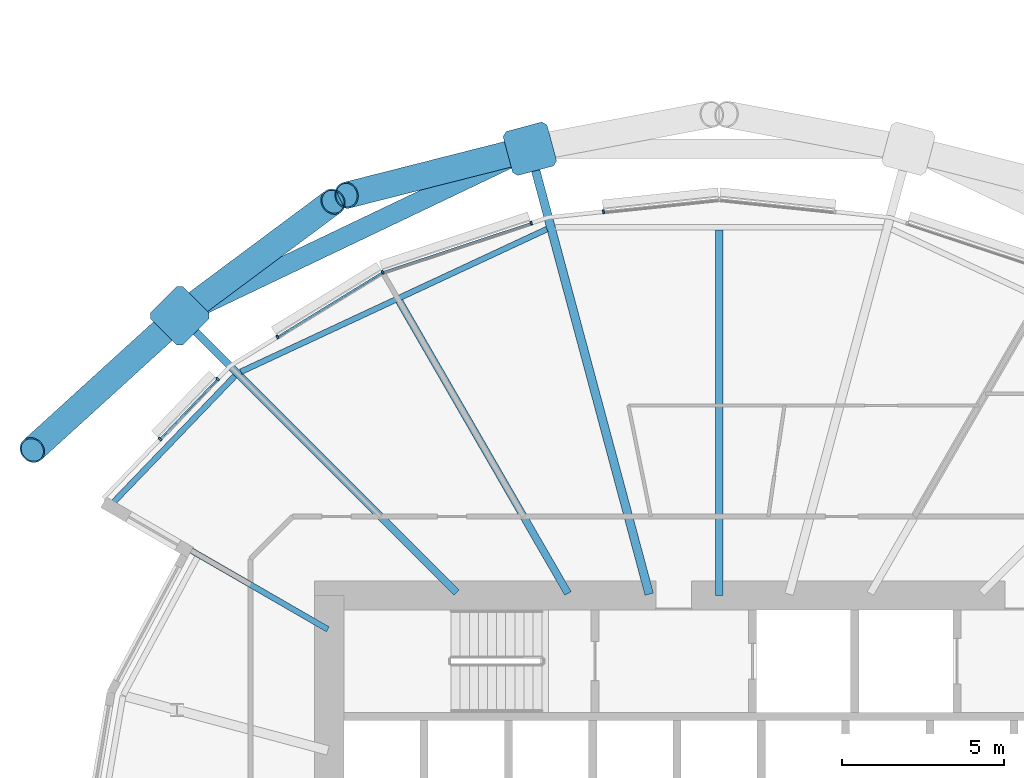
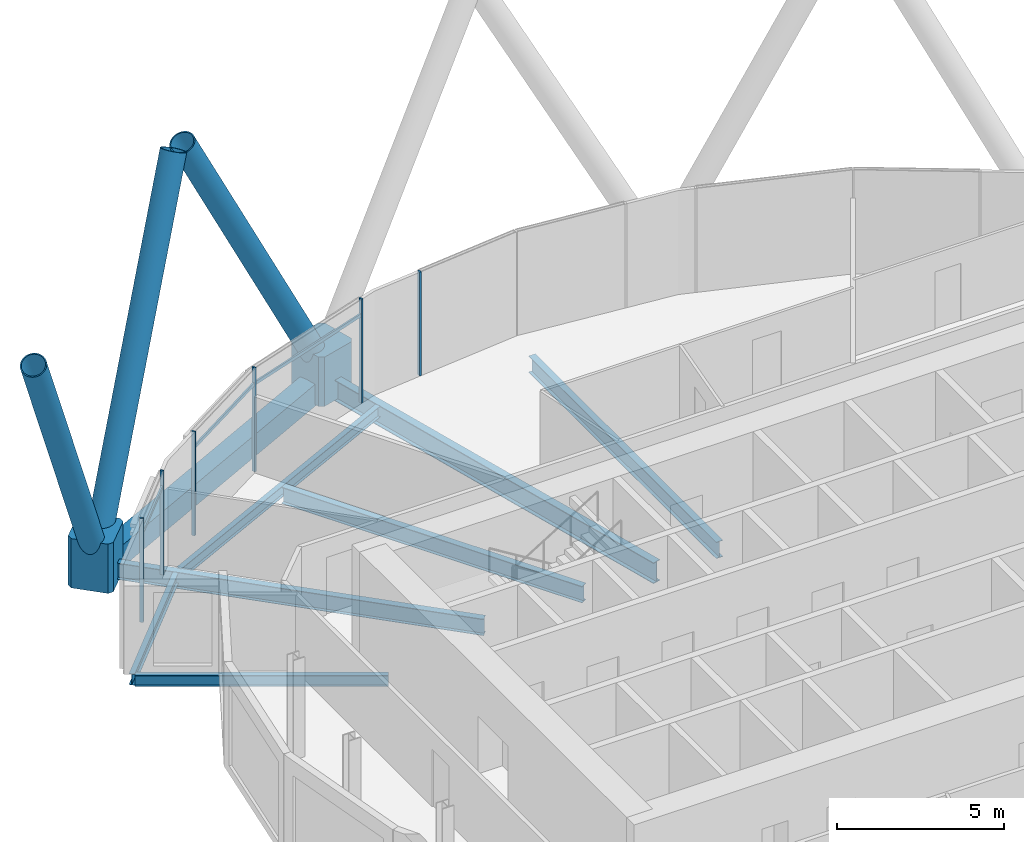
# One storey, part 10 of 34: 14 members, 8 beams, 1 element without a shape of its own.
"""IFC4 building model written with IfcOpenShell, lengths in metres."""

import ifcopenshell
import ifcopenshell.guid

model = None  # the IFC model being written
_history = None  # IfcOwnerHistory: only IFC2X3 demands one
_inside = {}  # id of a spatial element -> (the spatial element, [elements in it])
_under = {}  # id of a project, library or spatial element -> (it, [spatial elements below it])
_declared = {}  # id of a project -> (the project, [libraries it declares])
_typed = {}  # id of a type object -> (the type object, [elements of that type])
_made_of = {}  # id of a material, layer set ... -> (it, [elements and type objects made of it])


def new_model(schema):
    """Start an empty IFC model of exactly this schema.

    Asked for "IFC4X3", IfcOpenShell would pick the latest addendum, in which some entities
    have other attributes; the version numbers below select the first issue.
    IFC2X3 requires an IfcOwnerHistory on every rooted entity: one is made here for all.
    """
    global model, _history
    if schema == "IFC4X3":
        model = ifcopenshell.file(schema_version=(4, 3, 0, 0))
    else:
        model = ifcopenshell.file(schema=schema)
    _inside.clear()
    _under.clear()
    _declared.clear()
    _typed.clear()
    _made_of.clear()
    _history = None
    if model.schema == "IFC2X3":
        org = make("IfcOrganization", Name="unknown")
        user = make(
            "IfcPersonAndOrganization",
            ThePerson=make("IfcPerson", FamilyName="unknown"),
            TheOrganization=org,
        )
        app = make(
            "IfcApplication",
            ApplicationDeveloper=org,
            Version="unknown",
            ApplicationFullName="unknown",
            ApplicationIdentifier="unknown",
        )
        _history = make(
            "IfcOwnerHistory",
            OwningUser=user,
            OwningApplication=app,
            ChangeAction="ADDED",
            CreationDate=0,
        )
    return model


def make(cls, **values):
    """One entity of the class cls with the attributes given. An attribute that is None is left unset."""
    return model.create_entity(
        cls, **{name: value for name, value in values.items() if value is not None}
    )


def rooted(cls, **values):
    """An entity with a GlobalId (a new one), such as an element, a storey or a relation."""
    return make(cls, GlobalId=ifcopenshell.guid.new(), OwnerHistory=_history, **values)


def si_unit(unit_type, name, prefix=None):
    """IfcSIUnit, for example si_unit("LENGTHUNIT", "METRE", prefix="MILLI")."""
    return make("IfcSIUnit", UnitType=unit_type, Prefix=prefix, Name=name)


def assignment(units):
    """IfcUnitAssignment: the units of a project."""
    return None if units is None else make("IfcUnitAssignment", Units=units)


def point(xyz):
    """IfcCartesianPoint."""
    return None if xyz is None else make("IfcCartesianPoint", Coordinates=xyz)


def direction(xyz):
    """IfcDirection."""
    return None if xyz is None else make("IfcDirection", DirectionRatios=xyz)


def frame(location, z_axis=None, x_axis=None):
    """IfcAxis2Placement3D, a coordinate frame: its origin and axes. An axis left out is left unset."""
    return make(
        "IfcAxis2Placement3D",
        Location=point(location),
        Axis=direction(z_axis),
        RefDirection=direction(x_axis),
    )


def frame_2d(location, x_axis=None):
    """IfcAxis2Placement2D, a coordinate frame in the plane: its origin and x axis."""
    return make(
        "IfcAxis2Placement2D", Location=point(location), RefDirection=direction(x_axis)
    )


def origin():
    """The frame at (0, 0, 0) with its axes left unset."""
    return frame((0.0, 0.0, 0.0))


def origin_2d():
    """The frame at (0, 0) in the plane with its x axis left unset."""
    return frame_2d((0.0, 0.0))


def place(relative_to, where):
    """IfcLocalPlacement: puts the frame where relative to a parent placement (None: the world)."""
    return make(
        "IfcLocalPlacement", PlacementRelTo=relative_to, RelativePlacement=where
    )


def context(
    kind, dimensions, precision=None, world=None, true_north=None, identifier=None
):
    """IfcGeometricRepresentationContext, for example the 3D "Model" context."""
    return make(
        "IfcGeometricRepresentationContext",
        ContextIdentifier=identifier,
        ContextType=kind,
        CoordinateSpaceDimension=dimensions,
        Precision=precision,
        WorldCoordinateSystem=world,
        TrueNorth=true_north,
    )


def subcontext(parent, identifier, kind, view, scale=None):
    """IfcGeometricRepresentationSubContext, for example "Body" below "Model"."""
    return make(
        "IfcGeometricRepresentationSubContext",
        ContextIdentifier=identifier,
        ContextType=kind,
        ParentContext=parent,
        TargetScale=scale,
        TargetView=view,
    )


def project(units=None, contexts=None):
    """IfcProject with its units and contexts."""
    return rooted(
        "IfcProject",
        Name="project",
        RepresentationContexts=contexts,
        UnitsInContext=assignment(units),
    )


def spatial(cls, under=None, at=None, **own):
    """A site, building, storey or space (cls), placed at a placement, below another one or the project."""
    s = rooted(cls, ObjectPlacement=at, **own)
    if under is not None:
        _under.setdefault(under.id(), (under, []))[1].append(s)
    return s


def polyline(points):
    """IfcPolyline through the points."""
    return make("IfcPolyline", Points=[point(p) for p in points])


def profile(cls, at=None, kind="AREA", **sizes):
    """A parametric profile (cls). Its sizes go by their IFC names, for example OverallWidth=200.0."""
    return make(cls, ProfileType=kind, Position=at, **sizes)


def rectangle(**sizes):
    """IfcRectangleProfileDef."""
    return profile("IfcRectangleProfileDef", **sizes)


def hollow_rectangle(**sizes):
    """IfcRectangleHollowProfileDef."""
    return profile("IfcRectangleHollowProfileDef", **sizes)


def hollow_circle(**sizes):
    """IfcCircleHollowProfileDef."""
    return profile("IfcCircleHollowProfileDef", **sizes)


def i_section(**sizes):
    """IfcIShapeProfileDef."""
    return profile("IfcIShapeProfileDef", **sizes)


def outline(outer, holes=None, kind="AREA"):
    """IfcArbitraryClosedProfileDef: a profile drawn as a closed curve; with holes, ...WithVoids."""
    if holes is None:
        return make("IfcArbitraryClosedProfileDef", ProfileType=kind, OuterCurve=outer)
    return make(
        "IfcArbitraryProfileDefWithVoids",
        ProfileType=kind,
        OuterCurve=outer,
        InnerCurves=holes,
    )


def extrude(swept, where, along, depth):
    """IfcExtrudedAreaSolid: the profile swept, set in the frame where, extruded along a direction by depth."""
    return make(
        "IfcExtrudedAreaSolid",
        SweptArea=swept,
        Position=where,
        ExtrudedDirection=direction(along),
        Depth=depth,
    )


def shape(context_of_items, identifier, shape_type, items):
    """IfcShapeRepresentation: the items that make up one representation, for example the "Body"."""
    return make(
        "IfcShapeRepresentation",
        ContextOfItems=context_of_items,
        RepresentationIdentifier=identifier,
        RepresentationType=shape_type,
        Items=items,
    )


def material(Name=None, Category=None):
    """IfcMaterial."""
    return make("IfcMaterial", Name=Name, Category=Category)


def material_profile(
    of_material, cross_section, Name=None, Category=None, Priority=None
):
    """IfcMaterialProfile: a cross section and its material."""
    return make(
        "IfcMaterialProfile",
        Name=Name,
        Material=of_material,
        Profile=cross_section,
        Priority=Priority,
        Category=Category,
    )


def profile_set(profiles, Name=None, composite=None):
    """IfcMaterialProfileSet."""
    return make(
        "IfcMaterialProfileSet",
        Name=Name,
        MaterialProfiles=profiles,
        CompositeProfile=composite,
    )


def made_of(thing, what):
    """Note that an element or type object is made of a material, layer set ...; save() writes the relation."""
    if what is not None:
        _made_of.setdefault(what.id(), (what, []))[1].append(thing)
    return thing


def type_object(cls, material=None, **own):
    """A type object (cls), such as IfcWallType, which elements share."""
    return made_of(rooted(cls, **own), material)


def element(
    cls,
    number,
    at=None,
    inside=None,
    cuts=None,
    type_object=None,
    material=None,
    context=None,
    identifier="Body",
    shape_type=None,
    held_by="IfcProductDefinitionShape",
    body=None,
    shapes=None,
    **own,
):
    """One element of the class cls, such as IfcWall. Its Tag is "e" and its number.

    at: its placement. inside: the storey or other place that contains it. cuts: it is an
    opening in that element (IfcRelVoidsElement). A single representation is given by context,
    identifier, shape_type and body (its items); several are given by shapes. held_by: the class
    of the entity that holds the representations. save() writes the other relations.
    """
    e = rooted(cls, Tag="e%d" % number, ObjectPlacement=at, **own)
    if body is not None:
        shapes = [shape(context, identifier, shape_type, body)]
    if shapes is not None:
        e.Representation = make(held_by, Representations=shapes)
    if inside is not None:
        _inside.setdefault(inside.id(), (inside, []))[1].append(e)
    if cuts is not None:
        rooted(
            "IfcRelVoidsElement", RelatingBuildingElement=cuts, RelatedOpeningElement=e
        )
    if type_object is not None:
        _typed.setdefault(type_object.id(), (type_object, []))[1].append(e)
    return made_of(e, material)


def aggregate(whole, parts):
    """IfcRelAggregates: a whole, such as a stair, and the parts it consists of."""
    return rooted("IfcRelAggregates", RelatingObject=whole, RelatedObjects=parts)


def save(model, path):
    """Write the relations noted so far, then the file.

    IfcRelAggregates (storeys below a building ...), IfcRelContainedInSpatialStructure (elements
    in a storey), IfcRelDefinesByType, IfcRelAssociatesMaterial and IfcRelDeclares: one each for
    every whole, place, type object, material and project.
    """
    for whole, parts in _under.values():
        aggregate(whole, parts)
    for where, things in _inside.values():
        rooted(
            "IfcRelContainedInSpatialStructure",
            RelatedElements=things,
            RelatingStructure=where,
        )
    for kind, things in _typed.values():
        rooted("IfcRelDefinesByType", RelatedObjects=things, RelatingType=kind)
    for what, things in _made_of.values():
        rooted("IfcRelAssociatesMaterial", RelatedObjects=things, RelatingMaterial=what)
    for by, libraries in _declared.values():
        rooted("IfcRelDeclares", RelatingContext=by, RelatedDefinitions=libraries)
    model.write(path)


model = new_model("IFC4")

# Units and contexts
model_context = context("Model", 3, precision=1e-05, world=origin(), true_north=direction((0.0, 1.0)))
body_context = subcontext(model_context, "Body", "Model", "MODEL_VIEW")
ifc_project = project(units=[si_unit("LENGTHUNIT", "METRE"), si_unit("AREAUNIT", "SQUARE_METRE"), si_unit("VOLUMEUNIT", "CUBIC_METRE"), si_unit("PLANEANGLEUNIT", "RADIAN"), si_unit("MASSUNIT", "GRAM", prefix="KILO")], contexts=[model_context])

# Site, building, storey
site_placement = place(None, origin())
site = spatial("IfcSite", under=ifc_project, at=site_placement, CompositionType="ELEMENT")
building_placement = place(site_placement, origin())
building = spatial("IfcBuilding", under=site, at=building_placement, Name="Rimbun Link Towers", CompositionType="ELEMENT")
storey_placement = place(building_placement, frame((0.0, 0.0, 41.39990234375)))
storey = spatial("IfcBuildingStorey", under=building, at=storey_placement, Name="L09", CompositionType="ELEMENT", Elevation=41.39990234375)

# Curtain wall, members
ifc_material_1 = material(Name="Aluminium 6063-T6 and low-iron glass", Category="aluminium")
curtain_wall_type = type_object("IfcCurtainWallType", Name="CW1 unitised vision wall", PredefinedType="NOTDEFINED", material=ifc_material_1)
curtain_wall_placement = place(storey_placement, origin())
curtain_wall = element("IfcCurtainWall", 1, at=curtain_wall_placement, inside=storey, type_object=curtain_wall_type, Name="CW1 L09 T1", PredefinedType="NOTDEFINED")
ifc_material_2 = material(Name="Aluminium 6063-T6", Category="aluminium")
ifc_material_profile_1 = material_profile(ifc_material_2, rectangle(XDim=0.1201171875, YDim=0.06005859375, at=origin_2d()), Name="MULLION 60X120")
ifc_profile_set_1 = profile_set([ifc_material_profile_1], Name="Aluminium 6063-T6")
member_type_1 = type_object("IfcMemberType", Name="CW1 mullion 60X120", PredefinedType="MULLION", material=ifc_profile_set_1)
member_1_placement = place(storey_placement, frame((-35.310546875, 19.81201171875, 0.0), z_axis=(0.0, 0.0, 1.0), x_axis=(-0.104742031783, 0.994499425228, 0.0)))
member_1 = element("IfcMember", 2, at=member_1_placement, type_object=member_type_1, Name="CW1 mullion", PredefinedType="MULLION", context=body_context, shape_type="SweptSolid", body=[
    extrude(rectangle(XDim=0.1201171875, YDim=0.06005859375, at=origin_2d()), origin(), (0.0, 0.0, 1.0), 3.800048828125),
])
member_2_placement = place(storey_placement, frame((-42.103759765625, 17.944091796875, 0.0), z_axis=(0.0, 0.0, 1.0), x_axis=(-0.421700623213, 0.906735123607, 0.0)))
member_2 = element("IfcMember", 3, at=member_2_placement, type_object=member_type_1, Name="CW1 mullion", PredefinedType="MULLION", context=body_context, shape_type="SweptSolid", body=[
    extrude(rectangle(XDim=0.1201171875, YDim=0.06005859375, at=origin_2d()), origin(), (0.0, 0.0, 1.0), 3.800048828125),
])
member_3_placement = place(storey_placement, frame((-37.535888671875, 19.458251953125, 0.0), z_axis=(0.0, 0.0, 1.0), x_axis=(-0.314557949572, 0.949238271648, 0.0)))
member_3 = element("IfcMember", 4, at=member_3_placement, type_object=member_type_1, Name="CW1 mullion", PredefinedType="MULLION", context=body_context, shape_type="SweptSolid", body=[
    extrude(rectangle(XDim=0.1201171875, YDim=0.06005859375, at=origin_2d()), origin(), (0.0, 0.0, 1.0), 3.800048828125),
])
member_4_placement = place(storey_placement, frame((-45.345947265625, 15.953857421875, 0.0), z_axis=(0.0, 0.0, 1.0), x_axis=(-0.523240552823, 0.852185029135, 0.0)))
member_4 = element("IfcMember", 5, at=member_4_placement, type_object=member_type_1, Name="CW1 mullion", PredefinedType="MULLION", context=body_context, shape_type="SweptSolid", body=[
    extrude(rectangle(XDim=0.1201171875, YDim=0.06005859375, at=origin_2d()), origin(), (0.0, 0.0, 1.0), 3.800048828125),
])
member_5_placement = place(storey_placement, frame((-48.957763671875, 12.81103515625, 0.0), z_axis=(0.0, 0.0, 1.0), x_axis=(-0.721848038908, 0.692051593976, 0.0)))
member_5 = element("IfcMember", 6, at=member_5_placement, type_object=member_type_1, Name="CW1 mullion", PredefinedType="MULLION", context=body_context, shape_type="SweptSolid", body=[
    extrude(rectangle(XDim=0.1201171875, YDim=0.06005859375, at=origin_2d()), origin(), (0.0, 0.0, 1.0), 3.800048828125),
])
member_6_placement = place(storey_placement, frame((-47.187255859375, 14.65771484375, 0.0), z_axis=(0.0, 0.0, 1.0), x_axis=(-0.721848038908, 0.692051593976, 0.0)))
member_6 = element("IfcMember", 7, at=member_6_placement, type_object=member_type_1, Name="CW1 mullion", PredefinedType="MULLION", context=body_context, shape_type="SweptSolid", body=[
    extrude(rectangle(XDim=0.1201171875, YDim=0.06005859375, at=origin_2d()), origin(), (0.0, 0.0, 1.0), 3.800048828125),
])
ifc_material_3 = material(Name="Aluminium 6063-T6", Category="aluminium")
ifc_material_profile_2 = material_profile(ifc_material_3, rectangle(XDim=0.06005859375, YDim=0.1201171875, at=origin_2d()), Name="TRANSOM 60X120")
ifc_profile_set_2 = profile_set([ifc_material_profile_2], Name="Aluminium 6063-T6")
member_type_2 = type_object("IfcMemberType", Name="CW1 transom 60X120", PredefinedType="USERDEFINED", material=ifc_profile_set_2)
member_7_placement = place(storey_placement, frame((-42.068359375, 17.9541015625, 3.2001953125), z_axis=(0.94924257517, 0.314544962581, 0.0), x_axis=(-0.314544962581, 0.94924257517, 0.0)))
member_7 = element("IfcMember", 8, at=member_7_placement, type_object=member_type_2, Name="CW1 transom", ObjectType="TRANSOM", PredefinedType="USERDEFINED", context=body_context, shape_type="SweptSolid", body=[
    extrude(rectangle(XDim=0.06005859375, YDim=0.1201171875, at=origin_2d()), origin(), (0.0, 0.0, 1.0), 4.74560546875),
])
member_8_placement = place(storey_placement, frame((-45.3193359375, 15.9677734375, 3.2001953125), z_axis=(0.852173780916, 0.523258871992, 0.0), x_axis=(-0.523258871992, 0.852173780916, 0.0)))
member_8 = element("IfcMember", 9, at=member_8_placement, type_object=member_type_2, Name="CW1 transom", ObjectType="TRANSOM", PredefinedType="USERDEFINED", context=body_context, shape_type="SweptSolid", body=[
    extrude(rectangle(XDim=0.06005859375, YDim=0.1201171875, at=origin_2d()), origin(), (0.0, 0.0, 1.0), 3.7373046875),
])
member_9_placement = place(storey_placement, frame((-48.935546875, 12.831298828125, 3.2001953125), z_axis=(0.692047551185, 0.721851914799, 0.0), x_axis=(-0.721851914799, 0.692047551185, 0.0)))
member_9 = element("IfcMember", 10, at=member_9_placement, type_object=member_type_2, Name="CW1 transom", ObjectType="TRANSOM", PredefinedType="USERDEFINED", context=body_context, shape_type="SweptSolid", body=[
    extrude(rectangle(XDim=0.06005859375, YDim=0.1201171875, at=origin_2d()), origin(), (0.0, 0.0, 1.0), 2.498291015625),
])
aggregate(curtain_wall, [member_1, member_2, member_3, member_4, member_5, member_6, member_7, member_8, member_9])

# Members
ifc_material_4 = material(Name="Steel S460NH", Category="steel")
ifc_material_profile_3 = material_profile(ifc_material_4, hollow_circle(Radius=0.406494140625, WallThickness=0.0400390625, at=origin_2d()), Name="Diagrid diagonal CHS 813x40")
ifc_profile_set_3 = profile_set([ifc_material_profile_3], Name="Steel S460NH")
member_type_3 = type_object("IfcMemberType", Name="Diagrid diagonal CHS 813x40", PredefinedType="BRACE", material=ifc_profile_set_3)
member_10_placement = place(storey_placement, frame((-37.804443359375, 21.68994140625, 0.441650390625), z_axis=(-0.454668087389, -0.115384046346, 0.88315539525), x_axis=(0.245979182383, -0.969275111531, 0.0)))
element("IfcMember", 11, at=member_10_placement, inside=storey, type_object=member_type_3, Name="Diagrid diagonal T1 L09-L12 07b", PredefinedType="BRACE", context=body_context, shape_type="SweptSolid", body=[
    extrude(hollow_circle(Radius=0.406494140625, WallThickness=0.0400390625, at=origin_2d()), origin(), (0.0, 0.0, 1.0), 11.908203125),
])
member_11_placement = place(storey_placement, frame((-48.16455078125, 16.745361328125, 0.440673828125), z_axis=(0.379351487033, 0.282417468244, 0.881097510448), x_axis=(-0.597159611982, 0.802122433184, 0.0)))
element("IfcMember", 12, at=member_11_placement, inside=storey, type_object=member_type_3, Name="Diagrid diagonal T1 L09-L12 09a", PredefinedType="BRACE", context=body_context, shape_type="SweptSolid", body=[
    extrude(hollow_circle(Radius=0.406494140625, WallThickness=0.0400390625, at=origin_2d()), origin(), (0.0, 0.0, 1.0), 11.938232421875),
])
member_12_placement = place(storey_placement, frame((-48.534912109375, 16.43994140625, 0.436279296875), z_axis=(-0.361120506865, -0.328699802315, 0.872667416304), x_axis=(0.673130610062, -0.739523618147, 0.0)))
element("IfcMember", 13, at=member_12_placement, inside=storey, type_object=member_type_3, Name="Diagrid diagonal T1 L09-L12 09b", PredefinedType="BRACE", context=body_context, shape_type="SweptSolid", body=[
    extrude(hollow_circle(Radius=0.406494140625, WallThickness=0.0400390625, at=origin_2d()), origin(), (0.0, 0.0, 1.0), 12.063720703125),
])
ifc_material_5 = material(Name="Cast steel G20Mn5+QT, Rp0.2 300 MPa", Category="steel")
ifc_material_profile_4 = material_profile(ifc_material_5, outline(polyline([(0.699951171875, -0.570068359375), (0.699951171875, 0.570068359375), (0.570068359375, 0.699951171875), (-0.570068359375, 0.699951171875), (-0.699951171875, 0.570068359375), (-0.699951171875, -0.570068359375), (-0.570068359375, -0.699951171875), (0.570068359375, -0.699951171875), (0.699951171875, -0.570068359375)])), Name="NODE 1400x1400")
ifc_profile_set_4 = profile_set([ifc_material_profile_4], Name="Cast steel G20Mn5+QT, Rp0.2 300 MPa")
member_type_4 = type_object("IfcMemberType", Name="Diagrid node cast 1400", PredefinedType="USERDEFINED", material=ifc_profile_set_4)
for number, where, z_axis, x_axis, name in (
    (14, (-37.5771484375, 21.74755859375, -0.89990234375), (0.0, 0.0, 1.0), (-0.258819045103, 0.965925826289, 0.0), "Diagrid node L09 07"),
    (15, (-48.354248046875, 16.604248046875, -0.89990234375), (0.0, 0.0, 1.0), (-0.707106781187, 0.707106781187, 0.0), "Diagrid node L09 09"),
):
    element("IfcMember", number, at=place(storey_placement, frame(where, z_axis=z_axis, x_axis=x_axis)), inside=storey, type_object=member_type_4, Name=name, ObjectType="Diagrid node", PredefinedType="USERDEFINED", context=body_context, shape_type="SweptSolid", body=[
        extrude(outline(polyline([(0.699951171875, -0.570068359375), (0.699951171875, 0.570068359375), (0.570068359375, 0.699951171875), (-0.570068359375, 0.699951171875), (-0.699951171875, 0.570068359375), (-0.699951171875, -0.570068359375), (-0.570068359375, -0.699951171875), (0.570068359375, -0.699951171875), (0.699951171875, -0.570068359375)])), origin(), (0.0, 0.0, 1.0), 1.800048828125),
    ])

# Beams
ifc_material_6 = material(Name="Steel S355J2", Category="steel")
ifc_material_profile_5 = material_profile(ifc_material_6, hollow_rectangle(XDim=0.60009765625, YDim=0.800048828125, WallThickness=0.0400390625, at=origin_2d()), Name="Exoskeleton ring girder BOX 600x800x40")
ifc_profile_set_5 = profile_set([ifc_material_profile_5], Name="Steel S355J2")
beam_type_1 = type_object("IfcBeamType", Name="Exoskeleton ring girder BOX 600x800x40", PredefinedType="BEAM", material=ifc_profile_set_5)
beam_1_placement = place(storey_placement, frame((-38.208984375, 21.446044921875, -0.559814453125), z_axis=(-0.90248901757, -0.430712866265, 0.0), x_axis=(0.430712866265, -0.90248901757, 0.0)))
element("IfcBeam", 16, at=beam_1_placement, inside=storey, type_object=beam_type_1, Name="Exoskeleton ring girder L09 03", PredefinedType="BEAM", context=body_context, shape_type="SweptSolid", body=[
    extrude(hollow_rectangle(XDim=0.60009765625, YDim=0.800048828125, WallThickness=0.0400390625, at=origin_2d()), origin(), (0.0, 0.0, 1.0), 10.541259765625),
])
ifc_material_7 = material(Name="Steel S355J2", Category="steel")
ifc_material_profile_6 = material_profile(ifc_material_7, i_section(OverallWidth=0.177978515625, OverallDepth=0.406494140625, WebThickness=0.0078125, FlangeThickness=0.0126953125, at=origin_2d()), Name="UB 406x178x60")
ifc_profile_set_6 = profile_set([ifc_material_profile_6], Name="Steel S355J2")
beam_type_2 = type_object("IfcBeamType", Name="UB 406x178x60", PredefinedType="BEAM", material=ifc_profile_set_6)
beam_2_placement = place(storey_placement, frame((-43.79541015625, 6.954345703125, -0.363037109375), z_axis=(-0.866024000778, 0.50000243007, 0.0), x_axis=(-0.50000243007, -0.866024000778, 0.0)))
element("IfcBeam", 17, at=beam_2_placement, inside=storey, type_object=beam_type_2, Name="Radial beam T1 L09 10", PredefinedType="BEAM", context=body_context, shape_type="SweptSolid", body=[
    extrude(i_section(OverallWidth=0.177978515625, OverallDepth=0.406494140625, WebThickness=0.0078125, FlangeThickness=0.0126953125, at=origin_2d()), origin(), (0.0, 0.0, 1.0), 7.5986328125),
])
beam_3_placement = place(storey_placement, frame((-37.052978515625, 19.272216796875, -0.363037109375), z_axis=(-0.906396127139, -0.422428764062, 0.0), x_axis=(0.422428764062, -0.906396127139, 0.0)))
element("IfcBeam", 18, at=beam_3_placement, inside=storey, type_object=beam_type_2, Name="Edge beam T1 L09 07-09", PredefinedType="BEAM", context=body_context, shape_type="SweptSolid", body=[
    extrude(i_section(OverallWidth=0.177978515625, OverallDepth=0.406494140625, WebThickness=0.0078125, FlangeThickness=0.0126953125, at=origin_2d()), origin(), (0.0, 0.0, 1.0), 10.390380859375),
])
beam_4_placement = place(storey_placement, frame((-46.662109375, 14.747314453125, -0.363037109375), z_axis=(-0.692986597683, -0.720950466698, 0.0), x_axis=(0.720950466698, -0.692986597683, 0.0)))
element("IfcBeam", 19, at=beam_4_placement, inside=storey, type_object=beam_type_2, Name="Edge beam T1 L09 09", PredefinedType="BEAM", context=body_context, shape_type="SweptSolid", body=[
    extrude(i_section(OverallWidth=0.177978515625, OverallDepth=0.406494140625, WebThickness=0.0078125, FlangeThickness=0.0126953125, at=origin_2d()), origin(), (0.0, 0.0, 1.0), 5.47412109375),
])
ifc_material_8 = material(Name="Steel S355J2", Category="steel")
ifc_material_profile_7 = material_profile(ifc_material_8, i_section(OverallWidth=0.2275390625, OverallDepth=0.6025390625, WebThickness=0.010498046875, FlangeThickness=0.014892578125, at=origin_2d()), Name="UB 610x229x101")
ifc_profile_set_7 = profile_set([ifc_material_profile_7], Name="Steel S355J2")
beam_type_3 = type_object("IfcBeamType", Name="UB 610x229x101", PredefinedType="BEAM", material=ifc_profile_set_7)
beam_5_placement = place(storey_placement, frame((-31.75, 8.0009765625, -0.461181640625), z_axis=(0.0, 1.0, 0.0), x_axis=(-1.0, 0.0, 0.0)))
element("IfcBeam", 20, at=beam_5_placement, inside=storey, type_object=beam_type_3, Name="Radial beam T1 L09 06", PredefinedType="BEAM", context=body_context, shape_type="SweptSolid", body=[
    extrude(i_section(OverallWidth=0.2275390625, OverallDepth=0.6025390625, WebThickness=0.010498046875, FlangeThickness=0.014892578125, at=origin_2d()), origin(), (0.0, 0.0, 1.0), 11.23876953125),
])
beam_6_placement = place(storey_placement, frame((-36.402099609375, 8.057861328125, -0.461181640625), z_axis=(-0.499998423118, 0.866026314196, 0.0), x_axis=(-0.866026314196, -0.499998423118, 0.0)))
element("IfcBeam", 21, at=beam_6_placement, inside=storey, type_object=beam_type_3, Name="Radial beam T1 L09 08", PredefinedType="BEAM", context=body_context, shape_type="SweptSolid", body=[
    extrude(i_section(OverallWidth=0.2275390625, OverallDepth=0.6025390625, WebThickness=0.010498046875, FlangeThickness=0.014892578125, at=origin_2d()), origin(), (0.0, 0.0, 1.0), 10.38916015625),
])
beam_7_placement = place(storey_placement, frame((-39.831298828125, 8.081298828125, -0.461181640625), z_axis=(-0.707106781187, 0.707106781187, 0.0), x_axis=(-0.707106781187, -0.707106781187, 0.0)))
element("IfcBeam", 22, at=beam_7_placement, inside=storey, type_object=beam_type_3, Name="Radial beam T1 L09 09", PredefinedType="BEAM", context=body_context, shape_type="SweptSolid", body=[
    extrude(i_section(OverallWidth=0.2275390625, OverallDepth=0.6025390625, WebThickness=0.010498046875, FlangeThickness=0.014892578125, at=origin_2d()), origin(), (0.0, 0.0, 1.0), 11.552978515625),
])
ifc_material_9 = material(Name="Steel S355J2", Category="steel")
ifc_material_profile_8 = material_profile(ifc_material_9, i_section(OverallWidth=0.2666015625, OverallDepth=0.76220703125, WebThickness=0.014404296875, FlangeThickness=0.021484375, at=origin_2d()), Name="UB 762x267x173")
ifc_profile_set_8 = profile_set([ifc_material_profile_8], Name="Steel S355J2")
beam_type_4 = type_object("IfcBeamType", Name="UB 762x267x173", PredefinedType="BEAM", material=ifc_profile_set_8)
beam_8_placement = place(storey_placement, frame((-33.903076171875, 8.035400390625, -0.541015625), z_axis=(-0.258813009611, 0.965927443474, 0.0), x_axis=(-0.965927443474, -0.258813009611, 0.0)))
element("IfcBeam", 23, at=beam_8_placement, inside=storey, type_object=beam_type_4, Name="Radial beam T1 L09 07", PredefinedType="BEAM", context=body_context, shape_type="SweptSolid", body=[
    extrude(i_section(OverallWidth=0.2666015625, OverallDepth=0.76220703125, WebThickness=0.014404296875, FlangeThickness=0.021484375, at=origin_2d()), origin(), (0.0, 0.0, 1.0), 13.69580078125),
])

save(model, "model.ifc")
